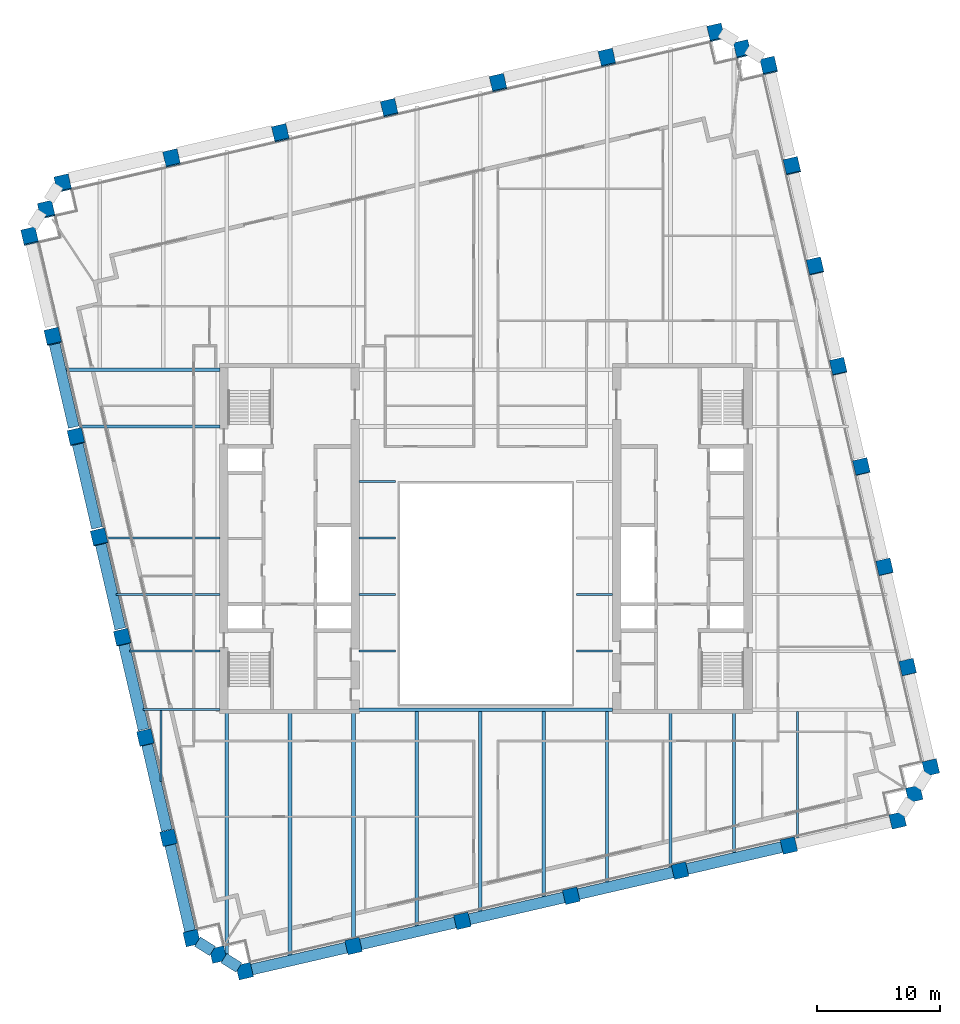
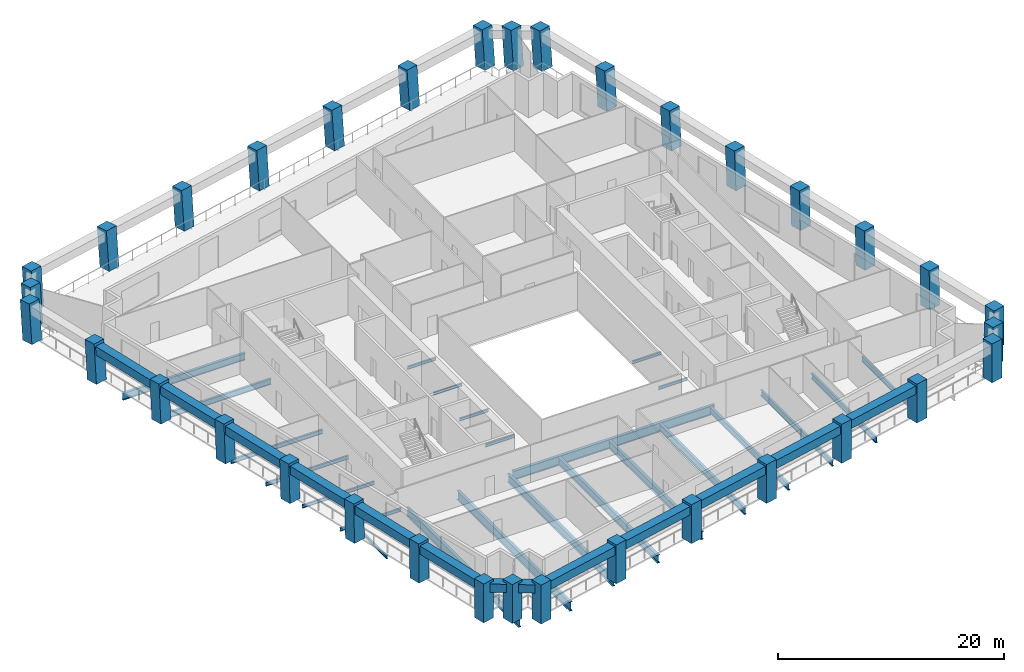
# One storey, part 1 of 11: 37 beams, 34 columns.
"""IFC4 building model written with IfcOpenShell, lengths in metres."""

from ifc_helpers import new_model, si_unit, direction, frame, origin, origin_2d, place, context, subcontext, project, spatial, rectangle, i_section, extrude, material, material_profile, profile_set, type_object, element, save


model = new_model("IFC4")

# Units and contexts
model_context = context("Model", 3, precision=1e-05, world=origin(), true_north=direction((0.0, 1.0)))
body_context = subcontext(model_context, "Body", "Model", "MODEL_VIEW")
ifc_project = project(units=[si_unit("LENGTHUNIT", "METRE"), si_unit("AREAUNIT", "SQUARE_METRE"), si_unit("VOLUMEUNIT", "CUBIC_METRE"), si_unit("PLANEANGLEUNIT", "RADIAN"), si_unit("MASSUNIT", "GRAM", prefix="KILO")], contexts=[model_context])

# Site, building, storey
site_placement = place(None, origin())
site = spatial("IfcSite", under=ifc_project, at=site_placement, CompositionType="ELEMENT")
building_placement = place(site_placement, origin())
building = spatial("IfcBuilding", under=site, at=building_placement, Name="Ogive Exchange Tower", CompositionType="ELEMENT")
storey_placement = place(building_placement, frame((0.0, 0.0, 213.60009765625)))
storey = spatial("IfcBuildingStorey", under=building, at=storey_placement, Name="L47", CompositionType="ELEMENT", Elevation=213.60009765625)

# Columns
ifc_material_1 = material(Name="Precast concrete C70/85 (limestone faced)", Category="masonry")
ifc_material_profile_1 = material_profile(ifc_material_1, rectangle(XDim=1.199951171875, YDim=1.199951171875, at=origin_2d()), Name="1200 x 1200")
ifc_profile_set_1 = profile_set([ifc_material_profile_1], Name="Precast concrete C70/85 (limestone faced)")
column_type = type_object("IfcColumnType", Name="Precast exoskeleton leg 1200 x 1200 C70/85", PredefinedType="COLUMN", material=ifc_profile_set_1)
for number, where, z_axis, x_axis, name in (
    (1, (-19.6494140625, -23.749267578125, 0.0), (0.0, 0.0, 1.0), (0.974370064785, 0.224951054344, 0.0), "Exoskeleton leg 1"),
    (2, (-10.782470703125, -21.7021484375, 0.0), (0.0, 0.0, 1.0), (0.974370064785, 0.224951054344, 0.0), "Exoskeleton leg 2"),
    (3, (-1.915771484375, -19.655029296875, 0.0), (0.0, 0.0, 1.0), (0.974370064785, 0.224951054344, 0.0), "Exoskeleton leg 3"),
    (4, (6.950927734375, -17.60791015625, 0.0), (0.0, 0.0, 1.0), (0.974370064785, 0.224951054344, 0.0), "Exoskeleton leg 4"),
    (5, (15.81787109375, -15.56103515625, 0.0), (0.0, 0.0, 1.0), (0.974370064785, 0.224951054344, 0.0), "Exoskeleton leg 5"),
    (6, (24.6845703125, -13.513916015625, 0.0), (0.0, 0.0, 1.0), (0.974370064785, 0.224951054344, 0.0), "Exoskeleton leg 6"),
    (7, (33.55126953125, -11.466796875, 0.0), (0.0, 0.0, 1.0), (0.974370064785, 0.224951054344, 0.0), "Exoskeleton leg 7"),
    (8, (36.249267578125, -7.1494140625, 0.0), (0.0, 0.0, 1.0), (0.974370064785, 0.224951054344, 0.0), "Exoskeleton leg 8"),
):
    element("IfcColumn", number, at=place(storey_placement, frame(where, z_axis=z_axis, x_axis=x_axis)), inside=storey, type_object=column_type, Name=name, PredefinedType="COLUMN", context=body_context, shape_type="SweptSolid", body=[
        extrude(rectangle(XDim=1.199951171875, YDim=1.199951171875, at=origin_2d()), origin(), (0.0, 0.0, 1.0), 4.199951171875),
    ])
column_1_placement = place(storey_placement, frame((34.364990234375, 1.01220703125, 0.0), z_axis=(-0.002731884952, 0.01168316756, 0.999928017609), x_axis=(-0.973733900744, -0.227689021567, 0.0)))
element("IfcColumn", 9, at=column_1_placement, inside=storey, type_object=column_type, Name="Exoskeleton leg 9", PredefinedType="COLUMN", context=body_context, shape_type="SweptSolid", body=[
    extrude(rectangle(XDim=1.199951171875, YDim=1.199951171875, at=origin_2d()), origin(), (0.0, 0.0, 1.0), 4.2001953125),
])
column_2_placement = place(storey_placement, frame((32.480712890625, 9.173828125, 0.0), z_axis=(-0.005404479485, 0.023361298418, 0.999712479335), x_axis=(-0.974268511785, -0.225390476607, 0.0)))
element("IfcColumn", 10, at=column_2_placement, inside=storey, type_object=column_type, Name="Exoskeleton leg 10", PredefinedType="COLUMN", context=body_context, shape_type="SweptSolid", body=[
    extrude(rectangle(XDim=1.199951171875, YDim=1.199951171875, at=origin_2d()), origin(), (0.0, 0.0, 1.0), 4.201171875),
])
column_3_placement = place(storey_placement, frame((30.596435546875, 17.335205078125, 0.0), z_axis=(-0.0080747472, 0.035087390713, 0.999351626541), x_axis=(-0.974526982896, -0.224270282488, 0.0)))
element("IfcColumn", 11, at=column_3_placement, inside=storey, type_object=column_type, Name="Exoskeleton leg 11", PredefinedType="COLUMN", context=body_context, shape_type="SweptSolid", body=[
    extrude(rectangle(XDim=1.199951171875, YDim=1.199951171875, at=origin_2d()), origin(), (0.0, 0.0, 1.0), 4.20263671875),
])
column_4_placement = place(storey_placement, frame((28.712158203125, 25.496826171875, 0.0), z_axis=(-0.010741563911, 0.046740318638, 0.998849318675), x_axis=(-0.974594841169, -0.223975211946, 0.0)))
element("IfcColumn", 12, at=column_4_placement, inside=storey, type_object=column_type, Name="Exoskeleton leg 12", PredefinedType="COLUMN", context=body_context, shape_type="SweptSolid", body=[
    extrude(rectangle(XDim=1.199951171875, YDim=1.199951171875, at=origin_2d()), origin(), (0.0, 0.0, 1.0), 4.204833984375),
])
column_5_placement = place(storey_placement, frame((26.827880859375, 33.658447265625, 0.0), z_axis=(-0.013461799865, 0.058373149415, 0.998204064995), x_axis=(-0.974423835271, -0.224718021653, 0.0)))
element("IfcColumn", 13, at=column_5_placement, inside=storey, type_object=column_type, Name="Exoskeleton leg 13", PredefinedType="COLUMN", context=body_context, shape_type="SweptSolid", body=[
    extrude(rectangle(XDim=1.199951171875, YDim=1.199951171875, at=origin_2d()), origin(), (0.0, 0.0, 1.0), 4.20751953125),
])
column_6_placement = place(storey_placement, frame((24.943603515625, 41.820068359375, 0.0), z_axis=(-0.016118248597, 0.069981028979, 0.997418095708), x_axis=(-0.974486358888, -0.224446733862, 0.0)))
element("IfcColumn", 14, at=column_6_placement, inside=storey, type_object=column_type, Name="Exoskeleton leg 14", PredefinedType="COLUMN", context=body_context, shape_type="SweptSolid", body=[
    extrude(rectangle(XDim=1.199951171875, YDim=1.199951171875, at=origin_2d()), origin(), (0.0, 0.0, 1.0), 4.2109375),
])
for number, where, z_axis, x_axis, name in (
    (15, (23.0595703125, 49.9814453125, 0.0), (-0.018883571463, 0.081616417765, 0.996484907603), (-0.974262845894, -0.225414966474, 0.0), "Exoskeleton leg 15"),
    (16, (18.741943359375, 52.679443359375, 0.0), (-0.018825755928, 0.08155896722, 0.996490705315), (-0.974379530941, -0.22491004798, 0.0), "Exoskeleton leg 16"),
    (17, (9.875244140625, 50.63232421875, 0.0), (-0.018825666958, 0.081616506903, 0.99648599592), (-0.974414501624, -0.224758490439, 0.0), "Exoskeleton leg 17"),
    (18, (1.00830078125, 48.585205078125, 0.0), (-0.018825666958, 0.081616506903, 0.99648599592), (-0.974414501624, -0.224758490439, 0.0), "Exoskeleton leg 18"),
    (19, (-7.8583984375, 46.538330078125, 0.0), (-0.018825755928, 0.08155896722, 0.996490705315), (-0.974379530941, -0.22491004798, 0.0), "Exoskeleton leg 19"),
    (20, (-16.72509765625, 44.4912109375, 0.0), (-0.018825666958, 0.081616506903, 0.99648599592), (-0.974414501624, -0.224758490439, 0.0), "Exoskeleton leg 20"),
    (21, (-25.591796875, 42.444091796875, 0.0), (-0.018883571463, 0.081616417765, 0.996484907603), (-0.974262845894, -0.225414966474, 0.0), "Exoskeleton leg 21"),
    (22, (-34.458740234375, 40.397216796875, 0.0), (-0.018825755928, 0.08155896722, 0.996490705315), (-0.974379530941, -0.22491004798, 0.0), "Exoskeleton leg 22"),
    (23, (-37.156494140625, 36.07958984375, 0.0), (-0.018883660707, 0.081558878144, 0.996489616983), (-0.974227676113, -0.225566919327, 0.0), "Exoskeleton leg 23"),
):
    element("IfcColumn", number, at=place(storey_placement, frame(where, z_axis=z_axis, x_axis=x_axis)), inside=storey, type_object=column_type, Name=name, PredefinedType="COLUMN", context=body_context, shape_type="SweptSolid", body=[
        extrude(rectangle(XDim=1.199951171875, YDim=1.199951171875, at=origin_2d()), origin(), (0.0, 0.0, 1.0), 4.21484375),
    ])
column_7_placement = place(storey_placement, frame((-35.272216796875, 27.91796875, 0.0), z_axis=(-0.016176147103, 0.070038658424, 0.997413113304), x_axis=(-0.97435039746, -0.225036225904, 0.0)))
element("IfcColumn", 24, at=column_7_placement, inside=storey, type_object=column_type, Name="Exoskeleton leg 24", PredefinedType="COLUMN", context=body_context, shape_type="SweptSolid", body=[
    extrude(rectangle(XDim=1.199951171875, YDim=1.199951171875, at=origin_2d()), origin(), (0.0, 0.0, 1.0), 4.2109375),
])
column_8_placement = place(storey_placement, frame((-33.38818359375, 19.756591796875, 0.0), z_axis=(-0.013461799865, 0.058373149415, 0.998204064995), x_axis=(-0.974423835271, -0.224718021653, 0.0)))
element("IfcColumn", 25, at=column_8_placement, inside=storey, type_object=column_type, Name="Exoskeleton leg 25", PredefinedType="COLUMN", context=body_context, shape_type="SweptSolid", body=[
    extrude(rectangle(XDim=1.199951171875, YDim=1.199951171875, at=origin_2d()), origin(), (0.0, 0.0, 1.0), 4.20751953125),
])
column_9_placement = place(storey_placement, frame((-31.50390625, 11.594970703125, 0.0), z_axis=(-0.010799619665, 0.046740289408, 0.998848694028), x_axis=(-0.974329962248, -0.225124686929, 0.0)))
element("IfcColumn", 26, at=column_9_placement, inside=storey, type_object=column_type, Name="Exoskeleton leg 26", PredefinedType="COLUMN", context=body_context, shape_type="SweptSolid", body=[
    extrude(rectangle(XDim=1.199951171875, YDim=1.199951171875, at=origin_2d()), origin(), (0.0, 0.0, 1.0), 4.204833984375),
])
column_10_placement = place(storey_placement, frame((-29.61962890625, 3.433349609375, 0.0), z_axis=(-0.0080747472, 0.035087390713, 0.999351626541), x_axis=(-0.974526982896, -0.224270282488, 0.0)))
element("IfcColumn", 27, at=column_10_placement, inside=storey, type_object=column_type, Name="Exoskeleton leg 27", PredefinedType="COLUMN", context=body_context, shape_type="SweptSolid", body=[
    extrude(rectangle(XDim=1.199951171875, YDim=1.199951171875, at=origin_2d()), origin(), (0.0, 0.0, 1.0), 4.20263671875),
])
column_11_placement = place(storey_placement, frame((-27.7353515625, -4.728271484375, 0.0), z_axis=(-0.005404472139, 0.023419379268, 0.999711120452), x_axis=(-0.974391195695, -0.224859506699, 0.0)))
element("IfcColumn", 28, at=column_11_placement, inside=storey, type_object=column_type, Name="Exoskeleton leg 28", PredefinedType="COLUMN", context=body_context, shape_type="SweptSolid", body=[
    extrude(rectangle(XDim=1.199951171875, YDim=1.199951171875, at=origin_2d()), origin(), (0.0, 0.0, 1.0), 4.201171875),
])
column_12_placement = place(storey_placement, frame((-25.85107421875, -12.8896484375, 0.0), z_axis=(-0.002731884952, 0.01168316756, 0.999928017609), x_axis=(-0.973733900744, -0.227689021567, 0.0)))
element("IfcColumn", 29, at=column_12_placement, inside=storey, type_object=column_type, Name="Exoskeleton leg 29", PredefinedType="COLUMN", context=body_context, shape_type="SweptSolid", body=[
    extrude(rectangle(XDim=1.199951171875, YDim=1.199951171875, at=origin_2d()), origin(), (0.0, 0.0, 1.0), 4.2001953125),
])
for number, where, z_axis, x_axis, name in (
    (30, (-23.966796875, -21.05126953125, 0.0), (0.0, 0.0, 1.0), (0.974370064785, 0.224951054344, 0.0), "Exoskeleton leg 30"),
    (31, (34.900146484375, -9.30810546875, 0.0), (0.0, 0.0, 1.0), (0.974370064785, 0.224951054344, 0.0), "Exoskeleton leg 31"),
):
    element("IfcColumn", number, at=place(storey_placement, frame(where, z_axis=z_axis, x_axis=x_axis)), inside=storey, type_object=column_type, Name=name, PredefinedType="COLUMN", context=body_context, shape_type="SweptSolid", body=[
        extrude(rectangle(XDim=1.199951171875, YDim=1.199951171875, at=origin_2d()), origin(), (0.0, 0.0, 1.0), 4.199951171875),
    ])
for number, where, z_axis, x_axis, name in (
    (32, (20.900634765625, 51.33056640625, 0.0), (-0.018825755928, 0.08155896722, 0.996490705315), (-0.974379530941, -0.22491004798, 0.0), "Exoskeleton leg 32"),
    (33, (-35.8076171875, 38.23828125, 0.0), (-0.018825666958, 0.081616506903, 0.99648599592), (-0.974414501624, -0.224758490439, 0.0), "Exoskeleton leg 33"),
):
    element("IfcColumn", number, at=place(storey_placement, frame(where, z_axis=z_axis, x_axis=x_axis)), inside=storey, type_object=column_type, Name=name, PredefinedType="COLUMN", context=body_context, shape_type="SweptSolid", body=[
        extrude(rectangle(XDim=1.199951171875, YDim=1.199951171875, at=origin_2d()), origin(), (0.0, 0.0, 1.0), 4.21484375),
    ])
column_13_placement = place(storey_placement, frame((-21.80810546875, -22.400146484375, 0.0), z_axis=(0.0, 0.0, 1.0), x_axis=(0.974370064785, 0.224951054344, 0.0)))
element("IfcColumn", 34, at=column_13_placement, inside=storey, type_object=column_type, Name="Exoskeleton leg 34", PredefinedType="COLUMN", context=body_context, shape_type="SweptSolid", body=[
    extrude(rectangle(XDim=1.199951171875, YDim=1.199951171875, at=origin_2d()), origin(), (0.0, 0.0, 1.0), 4.199951171875),
])

# Beams
ifc_material_2 = material(Name="Steel ASTM A992 Gr50", Category="steel")
ifc_material_profile_2 = material_profile(ifc_material_2, i_section(OverallWidth=0.300048828125, OverallDepth=0.969970703125, WebThickness=0.01611328125, FlangeThickness=0.02099609375, at=origin_2d()), Name="W1000x222")
ifc_profile_set_2 = profile_set([ifc_material_profile_2], Name="Steel ASTM A992 Gr50")
beam_type_1 = type_object("IfcBeamType", Name="Floor beam W1000x222", PredefinedType="JOIST", material=ifc_profile_set_2)
beam_1_placement = place(storey_placement, frame((-21.118408203125, -22.481689453125, -0.68505859375), z_axis=(0.0, 1.0, 0.0), x_axis=(-1.0, 0.0, 0.0)))
element("IfcBeam", 35, at=beam_1_placement, inside=storey, type_object=beam_type_1, Name="Floor beam", PredefinedType="JOIST", context=body_context, shape_type="SweptSolid", body=[
    extrude(i_section(OverallWidth=0.300048828125, OverallDepth=0.969970703125, WebThickness=0.01611328125, FlangeThickness=0.02099609375, at=origin_2d()), origin(), (0.0, 0.0, 1.0), 19.881591796875),
])
beam_2_placement = place(storey_placement, frame((-15.9521484375, -22.583740234375, -0.68505859375), z_axis=(0.0, 1.0, 0.0), x_axis=(-1.0, 0.0, 0.0)))
element("IfcBeam", 36, at=beam_2_placement, inside=storey, type_object=beam_type_1, Name="Floor beam", PredefinedType="JOIST", context=body_context, shape_type="SweptSolid", body=[
    extrude(i_section(OverallWidth=0.300048828125, OverallDepth=0.969970703125, WebThickness=0.01611328125, FlangeThickness=0.02099609375, at=origin_2d()), origin(), (0.0, 0.0, 1.0), 19.983642578125),
])
ifc_material_profile_3 = material_profile(ifc_material_2, i_section(OverallWidth=0.1650390625, OverallDepth=0.31005859375, WebThickness=0.005859375, FlangeThickness=0.009765625, at=origin_2d()), Name="W310x38.7")
ifc_profile_set_3 = profile_set([ifc_material_profile_3], Name="Steel ASTM A992 Gr50")
beam_type_2 = type_object("IfcBeamType", Name="Floor beam W310x38.7", PredefinedType="JOIST", material=ifc_profile_set_3)
for number, where, z_axis, x_axis, name in (
    (37, (-10.320068359375, 2.3212890625, -0.35498046875), (1.0, 0.0, 0.0), (0.0, 1.0, 0.0), "Floor beam"),
    (38, (7.3701171875, 2.3212890625, -0.35498046875), (1.0, 0.0, 0.0), (0.0, 1.0, 0.0), "Floor beam"),
    (39, (-10.320068359375, 6.9326171875, -0.35498046875), (1.0, 0.0, 0.0), (0.0, 1.0, 0.0), "Floor beam"),
    (40, (7.3701171875, 6.9326171875, -0.35498046875), (1.0, 0.0, 0.0), (0.0, 1.0, 0.0), "Floor beam"),
    (41, (-10.320068359375, 11.543701171875, -0.35498046875), (1.0, 0.0, 0.0), (0.0, 1.0, 0.0), "Floor beam"),
):
    element("IfcBeam", number, at=place(storey_placement, frame(where, z_axis=z_axis, x_axis=x_axis)), inside=storey, type_object=beam_type_2, Name=name, PredefinedType="JOIST", context=body_context, shape_type="SweptSolid", body=[
        extrude(i_section(OverallWidth=0.1650390625, OverallDepth=0.31005859375, WebThickness=0.005859375, FlangeThickness=0.009765625, at=origin_2d()), origin(), (0.0, 0.0, 1.0), 2.949951171875),
    ])
beam_3_placement = place(storey_placement, frame((-26.484619140625, -8.2958984375, -0.35498046875), z_axis=(0.0, 1.0, 0.0), x_axis=(-1.0, 0.0, 0.0)))
element("IfcBeam", 42, at=beam_3_placement, inside=storey, type_object=beam_type_2, Name="Floor beam", PredefinedType="JOIST", context=body_context, shape_type="SweptSolid", body=[
    extrude(i_section(OverallWidth=0.1650390625, OverallDepth=0.31005859375, WebThickness=0.005859375, FlangeThickness=0.009765625, at=origin_2d()), origin(), (0.0, 0.0, 1.0), 5.765380859375),
])
ifc_material_profile_4 = material_profile(ifc_material_2, i_section(OverallWidth=0.1708984375, OverallDepth=0.35595703125, WebThickness=0.00732421875, FlangeThickness=0.01171875, at=origin_2d()), Name="W360x51")
ifc_profile_set_4 = profile_set([ifc_material_profile_4], Name="Steel ASTM A992 Gr50")
beam_type_3 = type_object("IfcBeamType", Name="Floor beam W360x51", PredefinedType="JOIST", material=ifc_profile_set_4)
beam_4_placement = place(storey_placement, frame((-29.051025390625, 2.3212890625, -0.378173828125), z_axis=(1.0, 0.0, 0.0), x_axis=(0.0, 1.0, 0.0)))
element("IfcBeam", 43, at=beam_4_placement, inside=storey, type_object=beam_type_3, Name="Floor beam", PredefinedType="JOIST", context=body_context, shape_type="SweptSolid", body=[
    extrude(i_section(OverallWidth=0.1708984375, OverallDepth=0.35595703125, WebThickness=0.00732421875, FlangeThickness=0.01171875, at=origin_2d()), origin(), (0.0, 0.0, 1.0), 7.37109375),
])
ifc_material_profile_5 = material_profile(ifc_material_2, i_section(OverallWidth=0.177978515625, OverallDepth=0.406005859375, WebThickness=0.0078125, FlangeThickness=0.0126953125, at=origin_2d()), Name="W410x60")
ifc_profile_set_5 = profile_set([ifc_material_profile_5], Name="Steel ASTM A992 Gr50")
beam_type_4 = type_object("IfcBeamType", Name="Floor beam W410x60", PredefinedType="JOIST", material=ifc_profile_set_5)
beam_5_placement = place(storey_placement, frame((-30.115478515625, 6.9326171875, -0.403076171875), z_axis=(1.0, 0.0, 0.0), x_axis=(0.0, 1.0, 0.0)))
element("IfcBeam", 44, at=beam_5_placement, inside=storey, type_object=beam_type_4, Name="Floor beam", PredefinedType="JOIST", context=body_context, shape_type="SweptSolid", body=[
    extrude(i_section(OverallWidth=0.177978515625, OverallDepth=0.406005859375, WebThickness=0.0078125, FlangeThickness=0.0126953125, at=origin_2d()), origin(), (0.0, 0.0, 1.0), 8.435546875),
])
ifc_material_profile_6 = material_profile(ifc_material_2, i_section(OverallWidth=0.19091796875, OverallDepth=0.45703125, WebThickness=0.009033203125, FlangeThickness=0.014404296875, at=origin_2d()), Name="W460x74")
ifc_profile_set_6 = profile_set([ifc_material_profile_6], Name="Steel ASTM A992 Gr50")
beam_type_5 = type_object("IfcBeamType", Name="Floor beam W460x74", PredefinedType="JOIST", material=ifc_profile_set_6)
beam_6_placement = place(storey_placement, frame((-31.0302734375, 11.543701171875, -0.4287109375), z_axis=(1.0, 0.0, 0.0), x_axis=(0.0, 1.0, 0.0)))
element("IfcBeam", 45, at=beam_6_placement, inside=storey, type_object=beam_type_5, Name="Floor beam", PredefinedType="JOIST", context=body_context, shape_type="SweptSolid", body=[
    extrude(i_section(OverallWidth=0.19091796875, OverallDepth=0.45703125, WebThickness=0.009033203125, FlangeThickness=0.014404296875, at=origin_2d()), origin(), (0.0, 0.0, 1.0), 9.350341796875),
])
ifc_material_profile_7 = material_profile(ifc_material_2, i_section(OverallWidth=0.1669921875, OverallDepth=0.535888671875, WebThickness=0.01025390625, FlangeThickness=0.0166015625, at=origin_2d()), Name="W530x85")
ifc_profile_set_7 = profile_set([ifc_material_profile_7], Name="Steel ASTM A992 Gr50")
beam_type_6 = type_object("IfcBeamType", Name="Floor beam W530x85", PredefinedType="JOIST", material=ifc_profile_set_7)
beam_7_placement = place(storey_placement, frame((25.377197265625, -12.89208984375, -0.468017578125), z_axis=(0.0, 1.0, 0.0), x_axis=(-1.0, 0.0, 0.0)))
element("IfcBeam", 46, at=beam_7_placement, inside=storey, type_object=beam_type_6, Name="Floor beam", PredefinedType="JOIST", context=body_context, shape_type="SweptSolid", body=[
    extrude(i_section(OverallWidth=0.1669921875, OverallDepth=0.535888671875, WebThickness=0.01025390625, FlangeThickness=0.0166015625, at=origin_2d()), origin(), (0.0, 0.0, 1.0), 10.3134765625),
])
ifc_material_profile_8 = material_profile(ifc_material_2, i_section(OverallWidth=0.22802734375, OverallDepth=0.60205078125, WebThickness=0.010498046875, FlangeThickness=0.014892578125, at=origin_2d()), Name="W610x101")
ifc_profile_set_8 = profile_set([ifc_material_profile_8], Name="Steel ASTM A992 Gr50")
beam_type_7 = type_object("IfcBeamType", Name="Floor beam W610x101", PredefinedType="JOIST", material=ifc_profile_set_8)
beam_8_placement = place(storey_placement, frame((-33.126220703125, 20.62255859375, -0.5009765625), z_axis=(1.0, 0.0, 0.0), x_axis=(0.0, 1.0, 0.0)))
element("IfcBeam", 47, at=beam_8_placement, inside=storey, type_object=beam_type_7, Name="Floor beam", PredefinedType="JOIST", context=body_context, shape_type="SweptSolid", body=[
    extrude(i_section(OverallWidth=0.22802734375, OverallDepth=0.60205078125, WebThickness=0.010498046875, FlangeThickness=0.014892578125, at=origin_2d()), origin(), (0.0, 0.0, 1.0), 11.4462890625),
])
beam_9_placement = place(storey_placement, frame((20.2109375, -14.0849609375, -0.5009765625), z_axis=(0.0, 1.0, 0.0), x_axis=(-1.0, 0.0, 0.0)))
element("IfcBeam", 48, at=beam_9_placement, inside=storey, type_object=beam_type_7, Name="Floor beam", PredefinedType="JOIST", context=body_context, shape_type="SweptSolid", body=[
    extrude(i_section(OverallWidth=0.22802734375, OverallDepth=0.60205078125, WebThickness=0.010498046875, FlangeThickness=0.014892578125, at=origin_2d()), origin(), (0.0, 0.0, 1.0), 11.48486328125),
])
ifc_material_profile_9 = material_profile(ifc_material_2, i_section(OverallWidth=0.22900390625, OverallDepth=0.612060546875, WebThickness=0.011962890625, FlangeThickness=0.01953125, at=origin_2d()), Name="W610x125")
ifc_profile_set_9 = profile_set([ifc_material_profile_9], Name="Steel ASTM A992 Gr50")
beam_type_8 = type_object("IfcBeamType", Name="Floor beam W610x125", PredefinedType="JOIST", material=ifc_profile_set_9)
beam_10_placement = place(storey_placement, frame((15.044921875, -15.277587890625, -0.506103515625), z_axis=(0.0, 1.0, 0.0), x_axis=(-1.0, 0.0, 0.0)))
element("IfcBeam", 49, at=beam_10_placement, inside=storey, type_object=beam_type_8, Name="Floor beam", PredefinedType="JOIST", context=body_context, shape_type="SweptSolid", body=[
    extrude(i_section(OverallWidth=0.22900390625, OverallDepth=0.612060546875, WebThickness=0.011962890625, FlangeThickness=0.01953125, at=origin_2d()), origin(), (0.0, 0.0, 1.0), 12.677490234375),
])
ifc_material_profile_10 = material_profile(ifc_material_2, i_section(OverallWidth=0.25390625, OverallDepth=0.677978515625, WebThickness=0.01171875, FlangeThickness=0.016357421875, at=origin_2d()), Name="W690x125")
ifc_profile_set_10 = profile_set([ifc_material_profile_10], Name="Steel ASTM A992 Gr50")
beam_type_9 = type_object("IfcBeamType", Name="Floor beam W690x125", PredefinedType="JOIST", material=ifc_profile_set_10)
beam_11_placement = place(storey_placement, frame((9.878662109375, -16.47021484375, -0.5390625), z_axis=(0.0, 1.0, 0.0), x_axis=(-1.0, 0.0, 0.0)))
element("IfcBeam", 50, at=beam_11_placement, inside=storey, type_object=beam_type_9, Name="Floor beam", PredefinedType="JOIST", context=body_context, shape_type="SweptSolid", body=[
    extrude(i_section(OverallWidth=0.25390625, OverallDepth=0.677978515625, WebThickness=0.01171875, FlangeThickness=0.016357421875, at=origin_2d()), origin(), (0.0, 0.0, 1.0), 13.875244140625),
])
ifc_material_profile_11 = material_profile(ifc_material_2, i_section(OverallWidth=0.26708984375, OverallDepth=0.75390625, WebThickness=0.01318359375, FlangeThickness=0.01708984375, at=origin_2d()), Name="W760x147")
ifc_profile_set_11 = profile_set([ifc_material_profile_11], Name="Steel ASTM A992 Gr50")
beam_type_10 = type_object("IfcBeamType", Name="Floor beam W760x147", PredefinedType="JOIST", material=ifc_profile_set_11)
beam_12_placement = place(storey_placement, frame((4.71240234375, -17.6630859375, -0.5771484375), z_axis=(0.0, 1.0, 0.0), x_axis=(-1.0, 0.0, 0.0)))
element("IfcBeam", 51, at=beam_12_placement, inside=storey, type_object=beam_type_10, Name="Floor beam", PredefinedType="JOIST", context=body_context, shape_type="SweptSolid", body=[
    extrude(i_section(OverallWidth=0.26708984375, OverallDepth=0.75390625, WebThickness=0.01318359375, FlangeThickness=0.01708984375, at=origin_2d()), origin(), (0.0, 0.0, 1.0), 15.068115234375),
])
ifc_material_profile_12 = material_profile(ifc_material_2, i_section(OverallWidth=0.2919921875, OverallDepth=0.8359375, WebThickness=0.013916015625, FlangeThickness=0.018798828125, at=origin_2d()), Name="W840x176")
ifc_profile_set_12 = profile_set([ifc_material_profile_12], Name="Steel ASTM A992 Gr50")
beam_type_11 = type_object("IfcBeamType", Name="Floor beam W840x176", PredefinedType="JOIST", material=ifc_profile_set_12)
beam_13_placement = place(storey_placement, frame((-0.45361328125, -19.005615234375, -0.6181640625), z_axis=(0.0, 1.0, 0.0), x_axis=(-1.0, 0.0, 0.0)))
element("IfcBeam", 52, at=beam_13_placement, inside=storey, type_object=beam_type_11, Name="Floor beam", PredefinedType="JOIST", context=body_context, shape_type="SweptSolid", body=[
    extrude(i_section(OverallWidth=0.2919921875, OverallDepth=0.8359375, WebThickness=0.013916015625, FlangeThickness=0.018798828125, at=origin_2d()), origin(), (0.0, 0.0, 1.0), 16.41064453125),
])
ifc_material_profile_13 = material_profile(ifc_material_2, i_section(OverallWidth=0.2919921875, OverallDepth=0.845947265625, WebThickness=0.015380859375, FlangeThickness=0.0244140625, at=origin_2d()), Name="W840x210")
ifc_profile_set_13 = profile_set([ifc_material_profile_13], Name="Steel ASTM A992 Gr50")
beam_type_12 = type_object("IfcBeamType", Name="Floor beam W840x210", PredefinedType="JOIST", material=ifc_profile_set_13)
beam_14_placement = place(storey_placement, frame((-5.619873046875, -20.198486328125, -0.623046875), z_axis=(0.0, 1.0, 0.0), x_axis=(-1.0, 0.0, 0.0)))
element("IfcBeam", 53, at=beam_14_placement, inside=storey, type_object=beam_type_12, Name="Floor beam", PredefinedType="JOIST", context=body_context, shape_type="SweptSolid", body=[
    extrude(i_section(OverallWidth=0.2919921875, OverallDepth=0.845947265625, WebThickness=0.015380859375, FlangeThickness=0.0244140625, at=origin_2d()), origin(), (0.0, 0.0, 1.0), 17.603515625),
])
ifc_material_profile_14 = material_profile(ifc_material_2, i_section(OverallWidth=0.304931640625, OverallDepth=0.904052734375, WebThickness=0.01513671875, FlangeThickness=0.02001953125, at=origin_2d()), Name="W920x201")
ifc_profile_set_14 = profile_set([ifc_material_profile_14], Name="Steel ASTM A992 Gr50")
beam_type_13 = type_object("IfcBeamType", Name="Floor beam W920x201", PredefinedType="JOIST", material=ifc_profile_set_14)
beam_15_placement = place(storey_placement, frame((-10.785888671875, -21.2412109375, -0.652099609375), z_axis=(0.0, 1.0, 0.0), x_axis=(-1.0, 0.0, 0.0)))
element("IfcBeam", 54, at=beam_15_placement, inside=storey, type_object=beam_type_13, Name="Floor beam", PredefinedType="JOIST", context=body_context, shape_type="SweptSolid", body=[
    extrude(i_section(OverallWidth=0.304931640625, OverallDepth=0.904052734375, WebThickness=0.01513671875, FlangeThickness=0.02001953125, at=origin_2d()), origin(), (0.0, 0.0, 1.0), 18.64111328125),
])
ifc_material_profile_15 = material_profile(ifc_material_2, i_section(OverallWidth=0.300048828125, OverallDepth=0.97998046875, WebThickness=0.0166015625, FlangeThickness=0.026123046875, at=origin_2d()), Name="W1000x249")
ifc_profile_set_15 = profile_set([ifc_material_profile_15], Name="Steel ASTM A992 Gr50")
beam_type_14 = type_object("IfcBeamType", Name="Girder W1000x249", PredefinedType="BEAM", material=ifc_profile_set_15)
beam_16_placement = place(storey_placement, frame((-10.320068359375, -2.445068359375, -0.690185546875), z_axis=(1.0, 0.0, 0.0), x_axis=(0.0, 1.0, 0.0)))
element("IfcBeam", 55, at=beam_16_placement, inside=storey, type_object=beam_type_14, Name="Header girder", PredefinedType="BEAM", context=body_context, shape_type="SweptSolid", body=[
    extrude(i_section(OverallWidth=0.300048828125, OverallDepth=0.97998046875, WebThickness=0.0166015625, FlangeThickness=0.026123046875, at=origin_2d()), origin(), (0.0, 0.0, 1.0), 20.64013671875),
])
ifc_material_profile_16 = material_profile(ifc_material_2, i_section(OverallWidth=0.1650390625, OverallDepth=0.31005859375, WebThickness=0.005859375, FlangeThickness=0.009765625, at=origin_2d()), Name="W310x38.7")
ifc_profile_set_16 = profile_set([ifc_material_profile_16], Name="Steel ASTM A992 Gr50")
beam_type_15 = type_object("IfcBeamType", Name="Girder W310x38.7", PredefinedType="BEAM", material=ifc_profile_set_16)
beam_17_placement = place(storey_placement, frame((-10.320068359375, 16.155029296875, -0.35498046875), z_axis=(1.0, 0.0, 0.0), x_axis=(0.0, 1.0, 0.0)))
element("IfcBeam", 56, at=beam_17_placement, inside=storey, type_object=beam_type_15, Name="Trimmer girder", PredefinedType="BEAM", context=body_context, shape_type="SweptSolid", body=[
    extrude(i_section(OverallWidth=0.1650390625, OverallDepth=0.31005859375, WebThickness=0.005859375, FlangeThickness=0.009765625, at=origin_2d()), origin(), (0.0, 0.0, 1.0), 2.949951171875),
])
ifc_material_profile_17 = material_profile(ifc_material_2, i_section(OverallWidth=0.1708984375, OverallDepth=0.35595703125, WebThickness=0.00732421875, FlangeThickness=0.01171875, at=origin_2d()), Name="W360x51")
ifc_profile_set_17 = profile_set([ifc_material_profile_17], Name="Steel ASTM A992 Gr50")
beam_type_16 = type_object("IfcBeamType", Name="Girder W360x51", PredefinedType="BEAM", material=ifc_profile_set_17)
beam_18_placement = place(storey_placement, frame((-27.95068359375, -2.445068359375, -0.378173828125), z_axis=(1.0, 0.0, 0.0), x_axis=(0.0, 1.0, 0.0)))
element("IfcBeam", 57, at=beam_18_placement, inside=storey, type_object=beam_type_16, Name="Header girder", PredefinedType="BEAM", context=body_context, shape_type="SweptSolid", body=[
    extrude(i_section(OverallWidth=0.1708984375, OverallDepth=0.35595703125, WebThickness=0.00732421875, FlangeThickness=0.01171875, at=origin_2d()), origin(), (0.0, 0.0, 1.0), 6.270751953125),
])
ifc_material_profile_18 = material_profile(ifc_material_2, i_section(OverallWidth=0.26708984375, OverallDepth=0.75390625, WebThickness=0.01318359375, FlangeThickness=0.01708984375, at=origin_2d()), Name="W760x147")
ifc_profile_set_18 = profile_set([ifc_material_profile_18], Name="Steel ASTM A992 Gr50")
beam_type_17 = type_object("IfcBeamType", Name="Girder W760x147", PredefinedType="BEAM", material=ifc_profile_set_18)
beam_19_placement = place(storey_placement, frame((-34.193359375, 25.2451171875, -0.5771484375), z_axis=(1.0, 0.0, 0.0), x_axis=(0.0, 1.0, 0.0)))
element("IfcBeam", 58, at=beam_19_placement, inside=storey, type_object=beam_type_17, Name="Header girder", PredefinedType="BEAM", context=body_context, shape_type="SweptSolid", body=[
    extrude(i_section(OverallWidth=0.26708984375, OverallDepth=0.75390625, WebThickness=0.01318359375, FlangeThickness=0.01708984375, at=origin_2d()), origin(), (0.0, 0.0, 1.0), 12.513427734375),
])
ifc_material_profile_19 = material_profile(ifc_material_1, rectangle(XDim=0.89990234375, YDim=0.89990234375, at=origin_2d()), Name="900 x 900")
ifc_profile_set_19 = profile_set([ifc_material_profile_19], Name="Precast concrete C70/85 (limestone faced)")
beam_type_18 = type_object("IfcBeamType", Name="Precast spandrel 900 x 900 C70/85", PredefinedType="SPANDREL", material=ifc_profile_set_19)
beam_20_placement = place(storey_placement, frame((-19.084228515625, -23.61865234375, 3.5), z_axis=(0.974369944206, 0.224951576629, 0.0), x_axis=(-0.224951576629, 0.974369944206, 0.0)))
element("IfcBeam", 59, at=beam_20_placement, inside=storey, type_object=beam_type_18, Name="Spandrel 1", PredefinedType="SPANDREL", context=body_context, shape_type="SweptSolid", body=[
    extrude(rectangle(XDim=0.89990234375, YDim=0.89990234375, at=origin_2d()), origin(), (0.0, 0.0, 1.0), 7.940185546875),
])
beam_21_placement = place(storey_placement, frame((-10.21728515625, -21.57177734375, 3.5), z_axis=(0.974368388194, 0.224958316335, 0.0), x_axis=(-0.224958316335, 0.974368388194, 0.0)))
element("IfcBeam", 60, at=beam_21_placement, inside=storey, type_object=beam_type_18, Name="Spandrel 2", PredefinedType="SPANDREL", context=body_context, shape_type="SweptSolid", body=[
    extrude(rectangle(XDim=0.89990234375, YDim=0.89990234375, at=origin_2d()), origin(), (0.0, 0.0, 1.0), 7.93994140625),
])
for number, where, z_axis, x_axis, name in (
    (61, (-1.3505859375, -19.524658203125, 3.5), (0.974369944206, 0.224951576629, 0.0), (-0.224951576629, 0.974369944206, 0.0), "Spandrel 3"),
    (62, (7.51611328125, -17.4775390625, 3.5), (0.974369944206, 0.224951576629, 0.0), (-0.224951576629, 0.974369944206, 0.0), "Spandrel 4"),
    (63, (16.3828125, -15.430419921875, 3.5), (0.974369944206, 0.224951576629, 0.0), (-0.224951576629, 0.974369944206, 0.0), "Spandrel 5"),
):
    element("IfcBeam", number, at=place(storey_placement, frame(where, z_axis=z_axis, x_axis=x_axis)), inside=storey, type_object=beam_type_18, Name=name, PredefinedType="SPANDREL", context=body_context, shape_type="SweptSolid", body=[
        extrude(rectangle(XDim=0.89990234375, YDim=0.89990234375, at=origin_2d()), origin(), (0.0, 0.0, 1.0), 7.940185546875),
    ])
for number, where, z_axis, x_axis, name in (
    (64, (-35.2099609375, 27.647705078125, 3.5), (0.224962560055, -0.974367408411, 0.0), (0.974367408411, 0.224962560055, 0.0), "Spandrel 27"),
    (65, (-33.314208984375, 19.43701171875, 3.5), (0.224930663394, -0.974374772182, 0.0), (0.974374772182, 0.224930663394, 0.0), "Spandrel 28"),
):
    element("IfcBeam", number, at=place(storey_placement, frame(where, z_axis=z_axis, x_axis=x_axis)), inside=storey, type_object=beam_type_18, Name=name, PredefinedType="SPANDREL", context=body_context, shape_type="SweptSolid", body=[
        extrude(rectangle(XDim=0.89990234375, YDim=0.89990234375, at=origin_2d()), origin(), (0.0, 0.0, 1.0), 7.266845703125),
    ])
for number, where, z_axis, x_axis, name in (
    (66, (-31.418701171875, 11.226318359375, 3.5), (0.224938026934, -0.974373072308, 0.0), (0.974373072308, 0.224938026934, 0.0), "Spandrel 29"),
    (67, (-29.523193359375, 3.015625, 3.5), (0.224969924527, -0.974365708068, 0.0), (0.974365708068, 0.224969924527, 0.0), "Spandrel 30"),
    (68, (-27.627685546875, -5.195068359375, 3.5), (0.224969924527, -0.974365708068, 0.0), (0.974365708068, 0.224969924527, 0.0), "Spandrel 31"),
    (69, (-25.73193359375, -13.40576171875, 3.5), (0.224938026934, -0.974373072308, 0.0), (0.974373072308, 0.224938026934, 0.0), "Spandrel 32"),
):
    element("IfcBeam", number, at=place(storey_placement, frame(where, z_axis=z_axis, x_axis=x_axis)), inside=storey, type_object=beam_type_18, Name=name, PredefinedType="SPANDREL", context=body_context, shape_type="SweptSolid", body=[
        extrude(rectangle(XDim=0.89990234375, YDim=0.89990234375, at=origin_2d()), origin(), (0.0, 0.0, 1.0), 7.2666015625),
    ])
for number, where, z_axis, x_axis, name in (
    (70, (-23.501708984375, -21.342041015625, 3.5), (0.848074041941, -0.529877740036, 0.0), (0.529877740036, 0.848074041941, 0.0), "Spandrel 33"),
    (71, (-21.343017578125, -22.69091796875, 3.5), (0.848074041941, -0.529877740036, 0.0), (0.529877740036, 0.848074041941, 0.0), "Spandrel 34"),
):
    element("IfcBeam", number, at=place(storey_placement, frame(where, z_axis=z_axis, x_axis=x_axis)), inside=storey, type_object=beam_type_18, Name=name, PredefinedType="SPANDREL", context=body_context, shape_type="SweptSolid", body=[
        extrude(rectangle(XDim=0.89990234375, YDim=0.89990234375, at=origin_2d()), origin(), (0.0, 0.0, 1.0), 1.448486328125),
    ])

save(model, "model.ifc")
